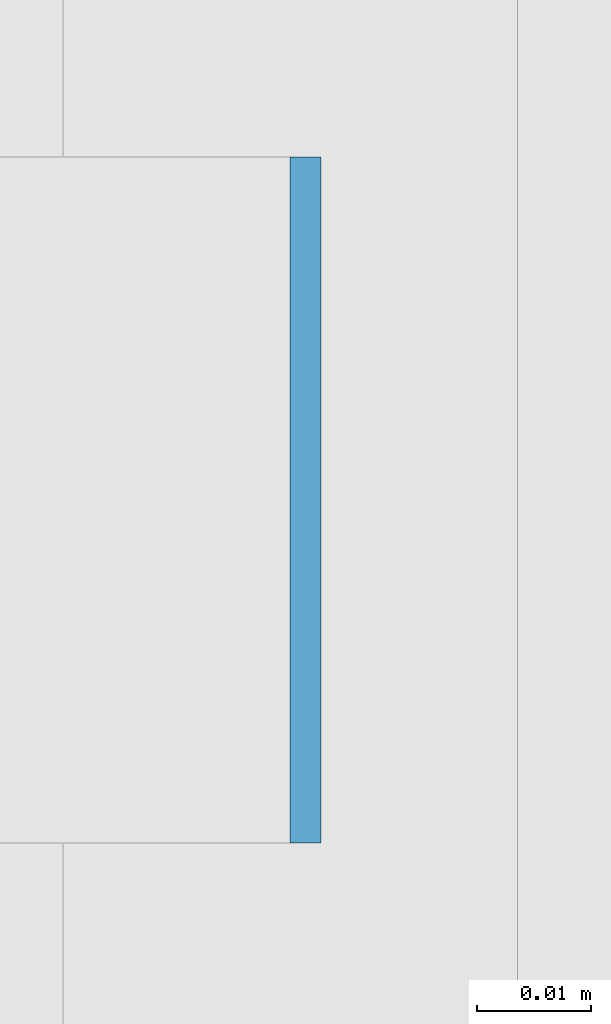
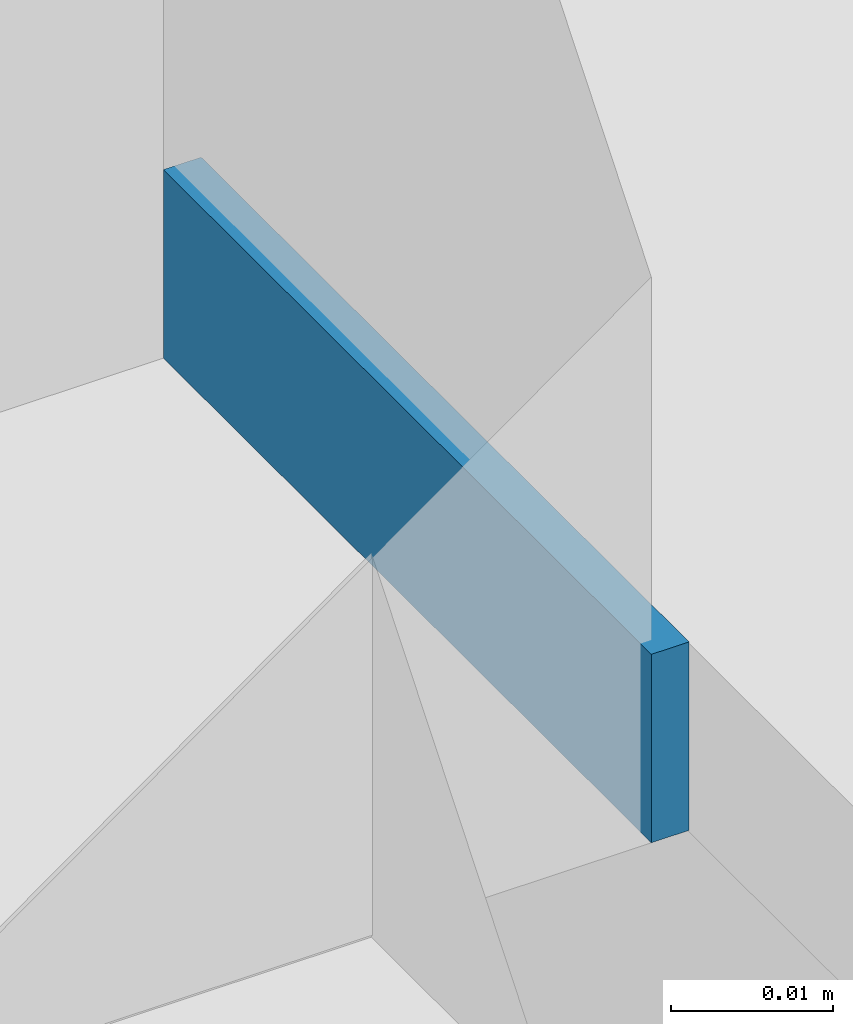
# One storey, part 306 of 646: 1 discrete accessory.
"""IFC4 building model written with IfcOpenShell, lengths in metres."""

import ifcopenshell
import ifcopenshell.guid

model = None  # the IFC model being written
_history = None  # IfcOwnerHistory: only IFC2X3 demands one
_inside = {}  # id of a spatial element -> (the spatial element, [elements in it])
_under = {}  # id of a project, library or spatial element -> (it, [spatial elements below it])
_declared = {}  # id of a project -> (the project, [libraries it declares])
_typed = {}  # id of a type object -> (the type object, [elements of that type])
_made_of = {}  # id of a material, layer set ... -> (it, [elements and type objects made of it])


def new_model(schema):
    """Start an empty IFC model of exactly this schema.

    Asked for "IFC4X3", IfcOpenShell would pick the latest addendum, in which some entities
    have other attributes; the version numbers below select the first issue.
    IFC2X3 requires an IfcOwnerHistory on every rooted entity: one is made here for all.
    """
    global model, _history
    if schema == "IFC4X3":
        model = ifcopenshell.file(schema_version=(4, 3, 0, 0))
    else:
        model = ifcopenshell.file(schema=schema)
    _inside.clear()
    _under.clear()
    _declared.clear()
    _typed.clear()
    _made_of.clear()
    _history = None
    if model.schema == "IFC2X3":
        org = make("IfcOrganization", Name="unknown")
        user = make(
            "IfcPersonAndOrganization",
            ThePerson=make("IfcPerson", FamilyName="unknown"),
            TheOrganization=org,
        )
        app = make(
            "IfcApplication",
            ApplicationDeveloper=org,
            Version="unknown",
            ApplicationFullName="unknown",
            ApplicationIdentifier="unknown",
        )
        _history = make(
            "IfcOwnerHistory",
            OwningUser=user,
            OwningApplication=app,
            ChangeAction="ADDED",
            CreationDate=0,
        )
    return model


def make(cls, **values):
    """One entity of the class cls with the attributes given. An attribute that is None is left unset."""
    return model.create_entity(
        cls, **{name: value for name, value in values.items() if value is not None}
    )


def rooted(cls, **values):
    """An entity with a GlobalId (a new one), such as an element, a storey or a relation."""
    return make(cls, GlobalId=ifcopenshell.guid.new(), OwnerHistory=_history, **values)


def si_unit(unit_type, name, prefix=None):
    """IfcSIUnit, for example si_unit("LENGTHUNIT", "METRE", prefix="MILLI")."""
    return make("IfcSIUnit", UnitType=unit_type, Prefix=prefix, Name=name)


def assignment(units):
    """IfcUnitAssignment: the units of a project."""
    return None if units is None else make("IfcUnitAssignment", Units=units)


def point(xyz):
    """IfcCartesianPoint."""
    return None if xyz is None else make("IfcCartesianPoint", Coordinates=xyz)


def direction(xyz):
    """IfcDirection."""
    return None if xyz is None else make("IfcDirection", DirectionRatios=xyz)


def frame(location, z_axis=None, x_axis=None):
    """IfcAxis2Placement3D, a coordinate frame: its origin and axes. An axis left out is left unset."""
    return make(
        "IfcAxis2Placement3D",
        Location=point(location),
        Axis=direction(z_axis),
        RefDirection=direction(x_axis),
    )


def frame_2d(location, x_axis=None):
    """IfcAxis2Placement2D, a coordinate frame in the plane: its origin and x axis."""
    return make(
        "IfcAxis2Placement2D", Location=point(location), RefDirection=direction(x_axis)
    )


def origin():
    """The frame at (0, 0, 0) with its axes left unset."""
    return frame((0.0, 0.0, 0.0))


def origin_2d():
    """The frame at (0, 0) in the plane with its x axis left unset."""
    return frame_2d((0.0, 0.0))


def place(relative_to, where):
    """IfcLocalPlacement: puts the frame where relative to a parent placement (None: the world)."""
    return make(
        "IfcLocalPlacement", PlacementRelTo=relative_to, RelativePlacement=where
    )


def context(
    kind, dimensions, precision=None, world=None, true_north=None, identifier=None
):
    """IfcGeometricRepresentationContext, for example the 3D "Model" context."""
    return make(
        "IfcGeometricRepresentationContext",
        ContextIdentifier=identifier,
        ContextType=kind,
        CoordinateSpaceDimension=dimensions,
        Precision=precision,
        WorldCoordinateSystem=world,
        TrueNorth=true_north,
    )


def subcontext(parent, identifier, kind, view, scale=None):
    """IfcGeometricRepresentationSubContext, for example "Body" below "Model"."""
    return make(
        "IfcGeometricRepresentationSubContext",
        ContextIdentifier=identifier,
        ContextType=kind,
        ParentContext=parent,
        TargetScale=scale,
        TargetView=view,
    )


def project(units=None, contexts=None):
    """IfcProject with its units and contexts."""
    return rooted(
        "IfcProject",
        Name="project",
        RepresentationContexts=contexts,
        UnitsInContext=assignment(units),
    )


def spatial(cls, under=None, at=None, **own):
    """A site, building, storey or space (cls), placed at a placement, below another one or the project."""
    s = rooted(cls, ObjectPlacement=at, **own)
    if under is not None:
        _under.setdefault(under.id(), (under, []))[1].append(s)
    return s


def profile(cls, at=None, kind="AREA", **sizes):
    """A parametric profile (cls). Its sizes go by their IFC names, for example OverallWidth=200.0."""
    return make(cls, ProfileType=kind, Position=at, **sizes)


def rectangle(**sizes):
    """IfcRectangleProfileDef."""
    return profile("IfcRectangleProfileDef", **sizes)


def extrude(swept, where, along, depth):
    """IfcExtrudedAreaSolid: the profile swept, set in the frame where, extruded along a direction by depth."""
    return make(
        "IfcExtrudedAreaSolid",
        SweptArea=swept,
        Position=where,
        ExtrudedDirection=direction(along),
        Depth=depth,
    )


def shape(context_of_items, identifier, shape_type, items):
    """IfcShapeRepresentation: the items that make up one representation, for example the "Body"."""
    return make(
        "IfcShapeRepresentation",
        ContextOfItems=context_of_items,
        RepresentationIdentifier=identifier,
        RepresentationType=shape_type,
        Items=items,
    )


def material(Name=None, Category=None):
    """IfcMaterial."""
    return make("IfcMaterial", Name=Name, Category=Category)


def made_of(thing, what):
    """Note that an element or type object is made of a material, layer set ...; save() writes the relation."""
    if what is not None:
        _made_of.setdefault(what.id(), (what, []))[1].append(thing)
    return thing


def type_object(cls, material=None, **own):
    """A type object (cls), such as IfcWallType, which elements share."""
    return made_of(rooted(cls, **own), material)


def element(
    cls,
    number,
    at=None,
    inside=None,
    cuts=None,
    type_object=None,
    material=None,
    context=None,
    identifier="Body",
    shape_type=None,
    held_by="IfcProductDefinitionShape",
    body=None,
    shapes=None,
    **own,
):
    """One element of the class cls, such as IfcWall. Its Tag is "e" and its number.

    at: its placement. inside: the storey or other place that contains it. cuts: it is an
    opening in that element (IfcRelVoidsElement). A single representation is given by context,
    identifier, shape_type and body (its items); several are given by shapes. held_by: the class
    of the entity that holds the representations. save() writes the other relations.
    """
    e = rooted(cls, Tag="e%d" % number, ObjectPlacement=at, **own)
    if body is not None:
        shapes = [shape(context, identifier, shape_type, body)]
    if shapes is not None:
        e.Representation = make(held_by, Representations=shapes)
    if inside is not None:
        _inside.setdefault(inside.id(), (inside, []))[1].append(e)
    if cuts is not None:
        rooted(
            "IfcRelVoidsElement", RelatingBuildingElement=cuts, RelatedOpeningElement=e
        )
    if type_object is not None:
        _typed.setdefault(type_object.id(), (type_object, []))[1].append(e)
    return made_of(e, material)


def aggregate(whole, parts):
    """IfcRelAggregates: a whole, such as a stair, and the parts it consists of."""
    return rooted("IfcRelAggregates", RelatingObject=whole, RelatedObjects=parts)


def save(model, path):
    """Write the relations noted so far, then the file.

    IfcRelAggregates (storeys below a building ...), IfcRelContainedInSpatialStructure (elements
    in a storey), IfcRelDefinesByType, IfcRelAssociatesMaterial and IfcRelDeclares: one each for
    every whole, place, type object, material and project.
    """
    for whole, parts in _under.values():
        aggregate(whole, parts)
    for where, things in _inside.values():
        rooted(
            "IfcRelContainedInSpatialStructure",
            RelatedElements=things,
            RelatingStructure=where,
        )
    for kind, things in _typed.values():
        rooted("IfcRelDefinesByType", RelatedObjects=things, RelatingType=kind)
    for what, things in _made_of.values():
        rooted("IfcRelAssociatesMaterial", RelatedObjects=things, RelatingMaterial=what)
    for by, libraries in _declared.values():
        rooted("IfcRelDeclares", RelatingContext=by, RelatedDefinitions=libraries)
    model.write(path)


model = new_model("IFC4")

# Units and contexts
model_context = context("Model", 3, precision=1e-05, world=origin(), true_north=direction((0.0, 1.0)))
body_context = subcontext(model_context, "Body", "Model", "MODEL_VIEW")
ifc_project = project(units=[si_unit("LENGTHUNIT", "METRE"), si_unit("AREAUNIT", "SQUARE_METRE"), si_unit("VOLUMEUNIT", "CUBIC_METRE"), si_unit("PLANEANGLEUNIT", "RADIAN"), si_unit("MASSUNIT", "GRAM", prefix="KILO")], contexts=[model_context])

# Site, building, storey
site_placement = place(None, origin())
site = spatial("IfcSite", under=ifc_project, at=site_placement, CompositionType="ELEMENT")
building_placement = place(site_placement, origin())
building = spatial("IfcBuilding", under=site, at=building_placement, Name="Silverbay Arena", CompositionType="ELEMENT")
storey_placement = place(building_placement, frame((0.0, 0.0, 33.5)))
storey = spatial("IfcBuildingStorey", under=building, at=storey_placement, Name="L05", CompositionType="ELEMENT", Elevation=33.5)

# Discrete accessory
ifc_material = material(Name="Steel S355", Category="steel")
discrete_accessory_type = type_object("IfcDiscreteAccessoryType", Name="Steel bracket plate", PredefinedType="BRACKET", material=ifc_material)
discrete_accessory_placement = place(storey_placement, frame((53.871337890625, 65.571533203125, 4.0), z_axis=(0.0, 0.0, 1.0), x_axis=(1.0, 0.0, 0.0)))
element("IfcDiscreteAccessory", 1, at=discrete_accessory_placement, inside=storey, type_object=discrete_accessory_type, Name="Curtain wall packing plate", PredefinedType="BRACKET", context=body_context, shape_type="SweptSolid", body=[
    extrude(rectangle(XDim=0.002685546875, YDim=0.06005859375, at=origin_2d()), origin(), (0.0, 0.0, 1.0), 0.01416015625),
])

save(model, "model.ifc")
